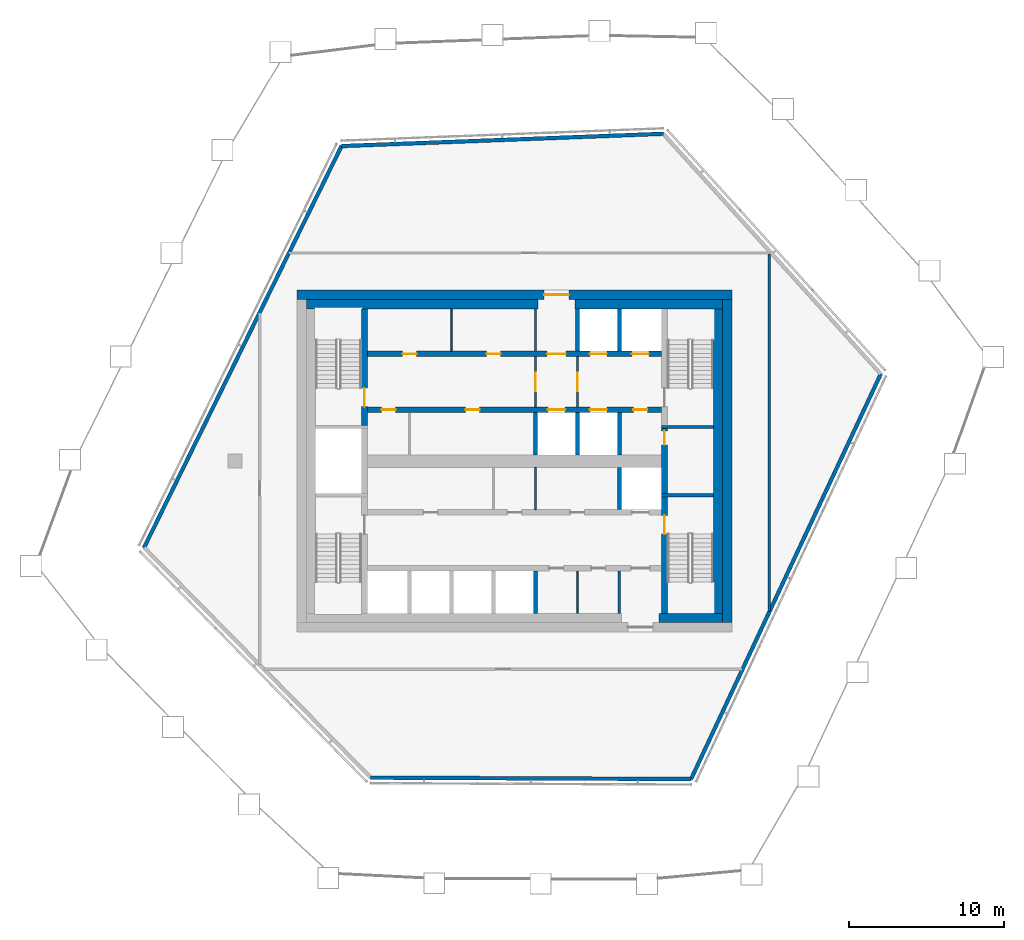
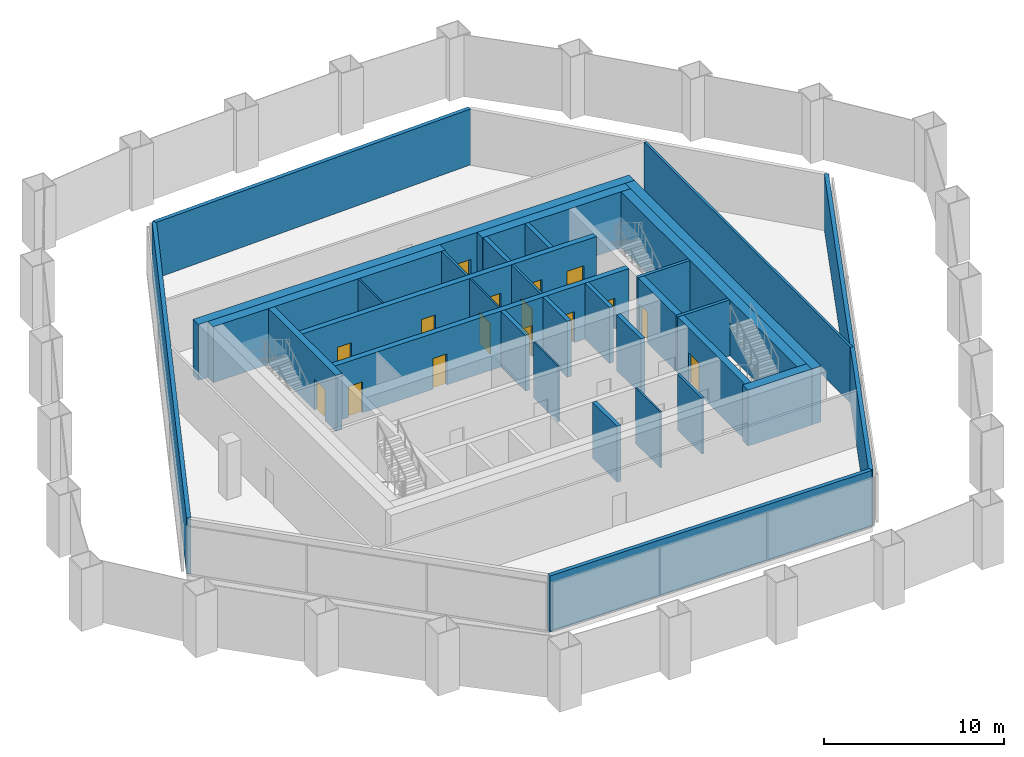
# One storey, part 8 of 18: 32 walls, 16 doors, 16 openings.
"""IFC4 building model written with IfcOpenShell, lengths in metres."""

from ifc_helpers import new_model, si_unit, direction, frame, frame_2d, origin, place, context, subcontext, project, spatial, rectangle, extrude, material, layer, layer_set, type_object, element, fill, save


model = new_model("IFC4")

# Units and contexts
model_context = context("Model", 3, precision=1e-05, world=origin(), true_north=direction((0.0, 1.0)))
body_context = subcontext(model_context, "Body", "Model", "MODEL_VIEW")
ifc_project = project(units=[si_unit("LENGTHUNIT", "METRE"), si_unit("AREAUNIT", "SQUARE_METRE"), si_unit("VOLUMEUNIT", "CUBIC_METRE"), si_unit("PLANEANGLEUNIT", "RADIAN"), si_unit("MASSUNIT", "GRAM", prefix="KILO")], contexts=[model_context])

# Site, building, storey
site_placement = place(None, origin())
site = spatial("IfcSite", under=ifc_project, at=site_placement, CompositionType="ELEMENT")
building_placement = place(site_placement, origin())
building = spatial("IfcBuilding", under=site, at=building_placement, Name="Dongbaek Canopy Tower", CompositionType="ELEMENT")
storey_placement = place(building_placement, frame((0.0, 0.0, 359.0)))
storey = spatial("IfcBuildingStorey", under=building, at=storey_placement, Name="L77", CompositionType="ELEMENT", Elevation=359.0)

# Wall, openings, doors
ifc_material_1 = material(Name="Concrete C60/75", Category="concrete")
ifc_layer_1 = layer(ifc_material_1, 0.35009765625)
ifc_layer_set_1 = layer_set([ifc_layer_1], Name="Core lobby wall 350 Concrete C60/75")
wall_type_1 = type_object("IfcWallType", Name="Core lobby wall 350 Concrete C60/75", PredefinedType="SHEAR", material=ifc_layer_set_1)
wall_1_placement = place(storey_placement, frame((-9.449951171875, 6.89990234375, 0.0), z_axis=(0.0, 0.0, 1.0), x_axis=(1.0, 0.0, 0.0)))
wall_1 = element("IfcWall", 1, at=wall_1_placement, inside=storey, type_object=wall_type_1, Name="Core wall", PredefinedType="SHEAR", context=body_context, shape_type="SweptSolid", body=[
    extrude(rectangle(XDim=18.89990234375, YDim=0.35009765625, at=frame_2d((9.449951171875, 0.0))), origin(), (0.0, 0.0, 1.0), 3.800048828125),
])
opening_1_placement = place(wall_1_placement, frame((11.550048828125, 0.0, 0.0)))
opening_1 = element("IfcOpeningElement", 2, at=opening_1_placement, cuts=wall_1, Name="Opening L77-D006", PredefinedType="OPENING", context=body_context, shape_type="SweptSolid", body=[
    extrude(rectangle(XDim=1.199951171875, YDim=2.10009765625, at=frame_2d((0.60009765625, 1.050048828125))), frame((0.0, 0.18505859375, 0.0), z_axis=(0.0, -1.0, 0.0), x_axis=(1.0, 0.0, 0.0)), (0.0, 0.0, 1.0), 0.3701171875),
])
opening_2_placement = place(wall_1_placement, frame((14.300048828125, 0.0, 0.0)))
opening_2 = element("IfcOpeningElement", 3, at=opening_2_placement, cuts=wall_1, Name="Opening L77-D007", PredefinedType="OPENING", context=body_context, shape_type="SweptSolid", body=[
    extrude(rectangle(XDim=1.10009765625, YDim=2.10009765625, at=frame_2d((0.550048828125, 1.050048828125))), frame((0.0, 0.18505859375, 0.0), z_axis=(0.0, -1.0, 0.0), x_axis=(1.0, 0.0, 0.0)), (0.0, 0.0, 1.0), 0.3701171875),
])
opening_3_placement = place(wall_1_placement, frame((17.0, 0.0, 0.0)))
opening_3 = element("IfcOpeningElement", 4, at=opening_3_placement, cuts=wall_1, Name="Opening L77-D008", PredefinedType="OPENING", context=body_context, shape_type="SweptSolid", body=[
    extrude(rectangle(XDim=1.10009765625, YDim=2.10009765625, at=frame_2d((0.550048828125, 1.050048828125))), frame((0.0, 0.18505859375, 0.0), z_axis=(0.0, -1.0, 0.0), x_axis=(1.0, 0.0, 0.0)), (0.0, 0.0, 1.0), 0.3701171875),
])
opening_4_placement = place(wall_1_placement, frame((2.25, 0.0, 0.0)))
opening_4 = element("IfcOpeningElement", 5, at=opening_4_placement, cuts=wall_1, Name="Opening L77-D015", PredefinedType="OPENING", context=body_context, shape_type="SweptSolid", body=[
    extrude(rectangle(XDim=0.89990234375, YDim=2.10009765625, at=frame_2d((0.449951171875, 1.050048828125))), frame((0.0, 0.18505859375, 0.0), z_axis=(0.0, -1.0, 0.0), x_axis=(1.0, 0.0, 0.0)), (0.0, 0.0, 1.0), 0.3701171875),
])
opening_5_placement = place(wall_1_placement, frame((7.64990234375, 0.0, 0.0)))
opening_5 = element("IfcOpeningElement", 6, at=opening_5_placement, cuts=wall_1, Name="Opening L77-D016", PredefinedType="OPENING", context=body_context, shape_type="SweptSolid", body=[
    extrude(rectangle(XDim=0.89990234375, YDim=2.10009765625, at=frame_2d((0.449951171875, 1.050048828125))), frame((0.0, 0.18505859375, 0.0), z_axis=(0.0, -1.0, 0.0), x_axis=(1.0, 0.0, 0.0)), (0.0, 0.0, 1.0), 0.3701171875),
])
ifc_material_2 = material(Name="Steel", Category="steel")
door_type_1 = type_object("IfcDoorType", Name="Core room door 900 x 2100", OperationType="SINGLE_SWING_LEFT", PredefinedType="DOOR", material=ifc_material_2)
door_1_placement = place(opening_4_placement, origin())
door_1 = element("IfcDoor", 7, at=door_1_placement, inside=storey, type_object=door_type_1, Name="Door L77-D015", OperationType="SINGLE_SWING_RIGHT", OverallHeight=2.10009765625, OverallWidth=0.89990234375, PredefinedType="DOOR", context=body_context, shape_type="SweptSolid", body=[
    extrude(rectangle(XDim=0.89990234375, YDim=2.10009765625, at=frame_2d((0.449951171875, 1.050048828125))), frame((0.0, 0.02490234375, 0.0), z_axis=(0.0, -1.0, 0.0), x_axis=(1.0, 0.0, 0.0)), (0.0, 0.0, 1.0), 0.050048828125),
])
fill(opening_4, door_1)
door_2_placement = place(opening_5_placement, origin())
door_2 = element("IfcDoor", 8, at=door_2_placement, inside=storey, type_object=door_type_1, Name="Door L77-D016", OperationType="SINGLE_SWING_LEFT", OverallHeight=2.10009765625, OverallWidth=0.89990234375, PredefinedType="DOOR", context=body_context, shape_type="SweptSolid", body=[
    extrude(rectangle(XDim=0.89990234375, YDim=2.10009765625, at=frame_2d((0.449951171875, 1.050048828125))), frame((0.0, 0.02490234375, 0.0), z_axis=(0.0, -1.0, 0.0), x_axis=(1.0, 0.0, 0.0)), (0.0, 0.0, 1.0), 0.050048828125),
])
fill(opening_5, door_2)
ifc_material_3 = material(Name="Steel", Category="steel")
door_type_2 = type_object("IfcDoorType", Name="Fire lobby door 1200 x 2100", OperationType="SINGLE_SWING_LEFT", PredefinedType="DOOR", material=ifc_material_3)
door_3_placement = place(opening_1_placement, origin())
door_3 = element("IfcDoor", 9, at=door_3_placement, inside=storey, type_object=door_type_2, Name="Door L77-D006", OperationType="SINGLE_SWING_LEFT", OverallHeight=2.10009765625, OverallWidth=1.199951171875, PredefinedType="DOOR", context=body_context, shape_type="SweptSolid", body=[
    extrude(rectangle(XDim=1.199951171875, YDim=2.10009765625, at=frame_2d((0.60009765625, 1.050048828125))), frame((0.0, 0.02490234375, 0.0), z_axis=(0.0, -1.0, 0.0), x_axis=(1.0, 0.0, 0.0)), (0.0, 0.0, 1.0), 0.050048828125),
])
fill(opening_1, door_3)
ifc_material_4 = material(Name="Stainless steel", Category="steel")
door_type_3 = type_object("IfcDoorType", Name="Lift landing door 1100 x 2100", OperationType="DOUBLE_DOOR_SLIDING", PredefinedType="DOOR", material=ifc_material_4)
door_4_placement = place(opening_2_placement, origin())
door_4 = element("IfcDoor", 10, at=door_4_placement, inside=storey, type_object=door_type_3, Name="Landing door FF1", OperationType="DOUBLE_DOOR_SLIDING", OverallHeight=2.10009765625, OverallWidth=1.10009765625, PredefinedType="DOOR", context=body_context, shape_type="SweptSolid", body=[
    extrude(rectangle(XDim=1.10009765625, YDim=2.10009765625, at=frame_2d((0.550048828125, 1.050048828125))), frame((0.0, 0.02490234375, 0.0), z_axis=(0.0, -1.0, 0.0), x_axis=(1.0, 0.0, 0.0)), (0.0, 0.0, 1.0), 0.050048828125),
])
fill(opening_2, door_4)
door_5_placement = place(opening_3_placement, origin())
door_5 = element("IfcDoor", 11, at=door_5_placement, inside=storey, type_object=door_type_3, Name="Landing door FF2", OperationType="DOUBLE_DOOR_SLIDING", OverallHeight=2.10009765625, OverallWidth=1.10009765625, PredefinedType="DOOR", context=body_context, shape_type="SweptSolid", body=[
    extrude(rectangle(XDim=1.10009765625, YDim=2.10009765625, at=frame_2d((0.550048828125, 1.050048828125))), frame((0.0, 0.02490234375, 0.0), z_axis=(0.0, -1.0, 0.0), x_axis=(1.0, 0.0, 0.0)), (0.0, 0.0, 1.0), 0.050048828125),
])
fill(opening_3, door_5)

wall_2_placement = place(storey_placement, frame((9.449951171875, 3.300048828125, 0.0), z_axis=(0.0, 0.0, 1.0), x_axis=(-1.0, 0.0, 0.0)))
wall_2 = element("IfcWall", 12, at=wall_2_placement, inside=storey, type_object=wall_type_1, Name="Core wall", PredefinedType="SHEAR", context=body_context, shape_type="SweptSolid", body=[
    extrude(rectangle(XDim=18.89990234375, YDim=0.35009765625, at=frame_2d((9.449951171875, 0.0))), origin(), (0.0, 0.0, 1.0), 3.800048828125),
])
opening_6_placement = place(wall_2_placement, frame((6.199951171875, 0.0, 0.0)))
opening_6 = element("IfcOpeningElement", 13, at=opening_6_placement, cuts=wall_2, Name="Opening L77-D009", PredefinedType="OPENING", context=body_context, shape_type="SweptSolid", body=[
    extrude(rectangle(XDim=1.10009765625, YDim=2.10009765625, at=frame_2d((0.550048828125, 1.050048828125))), frame((0.0, 0.18505859375, 0.0), z_axis=(0.0, -1.0, 0.0), x_axis=(1.0, 0.0, 0.0)), (0.0, 0.0, 1.0), 0.3701171875),
])
opening_7_placement = place(wall_2_placement, frame((3.5, 0.0, 0.0)))
opening_7 = element("IfcOpeningElement", 14, at=opening_7_placement, cuts=wall_2, Name="Opening L77-D010", PredefinedType="OPENING", context=body_context, shape_type="SweptSolid", body=[
    extrude(rectangle(XDim=1.10009765625, YDim=2.10009765625, at=frame_2d((0.550048828125, 1.050048828125))), frame((0.0, 0.18505859375, 0.0), z_axis=(0.0, -1.0, 0.0), x_axis=(1.0, 0.0, 0.0)), (0.0, 0.0, 1.0), 0.3701171875),
])
opening_8_placement = place(wall_2_placement, frame((0.89990234375, 0.0, 0.0)))
opening_8 = element("IfcOpeningElement", 15, at=opening_8_placement, cuts=wall_2, Name="Opening L77-D011", PredefinedType="OPENING", context=body_context, shape_type="SweptSolid", body=[
    extrude(rectangle(XDim=0.89990234375, YDim=2.10009765625, at=frame_2d((0.449951171875, 1.050048828125))), frame((0.0, 0.18505859375, 0.0), z_axis=(0.0, -1.0, 0.0), x_axis=(1.0, 0.0, 0.0)), (0.0, 0.0, 1.0), 0.3701171875),
])
opening_9_placement = place(wall_2_placement, frame((17.10009765625, 0.0, 0.0)))
opening_9 = element("IfcOpeningElement", 16, at=opening_9_placement, cuts=wall_2, Name="Opening L77-D017", PredefinedType="OPENING", context=body_context, shape_type="SweptSolid", body=[
    extrude(rectangle(XDim=0.89990234375, YDim=2.10009765625, at=frame_2d((0.449951171875, 1.050048828125))), frame((0.0, 0.18505859375, 0.0), z_axis=(0.0, -1.0, 0.0), x_axis=(1.0, 0.0, 0.0)), (0.0, 0.0, 1.0), 0.3701171875),
])
opening_10_placement = place(wall_2_placement, frame((11.699951171875, 0.0, 0.0)))
opening_10 = element("IfcOpeningElement", 17, at=opening_10_placement, cuts=wall_2, Name="Opening L77-D018", PredefinedType="OPENING", context=body_context, shape_type="SweptSolid", body=[
    extrude(rectangle(XDim=0.89990234375, YDim=2.10009765625, at=frame_2d((0.449951171875, 1.050048828125))), frame((0.0, 0.18505859375, 0.0), z_axis=(0.0, -1.0, 0.0), x_axis=(1.0, 0.0, 0.0)), (0.0, 0.0, 1.0), 0.3701171875),
])
door_6_placement = place(opening_8_placement, origin())
door_6 = element("IfcDoor", 18, at=door_6_placement, inside=storey, type_object=door_type_1, Name="Door L77-D011", OperationType="SINGLE_SWING_LEFT", OverallHeight=2.10009765625, OverallWidth=0.89990234375, PredefinedType="DOOR", context=body_context, shape_type="SweptSolid", body=[
    extrude(rectangle(XDim=0.89990234375, YDim=2.10009765625, at=frame_2d((0.449951171875, 1.050048828125))), frame((0.0, 0.02490234375, 0.0), z_axis=(0.0, -1.0, 0.0), x_axis=(1.0, 0.0, 0.0)), (0.0, 0.0, 1.0), 0.050048828125),
])
fill(opening_8, door_6)
door_7_placement = place(opening_9_placement, origin())
door_7 = element("IfcDoor", 19, at=door_7_placement, inside=storey, type_object=door_type_1, Name="Door L77-D017", OperationType="SINGLE_SWING_RIGHT", OverallHeight=2.10009765625, OverallWidth=0.89990234375, PredefinedType="DOOR", context=body_context, shape_type="SweptSolid", body=[
    extrude(rectangle(XDim=0.89990234375, YDim=2.10009765625, at=frame_2d((0.449951171875, 1.050048828125))), frame((0.0, 0.02490234375, 0.0), z_axis=(0.0, -1.0, 0.0), x_axis=(1.0, 0.0, 0.0)), (0.0, 0.0, 1.0), 0.050048828125),
])
fill(opening_9, door_7)
door_8_placement = place(opening_10_placement, origin())
door_8 = element("IfcDoor", 20, at=door_8_placement, inside=storey, type_object=door_type_1, Name="Door L77-D018", OperationType="SINGLE_SWING_LEFT", OverallHeight=2.10009765625, OverallWidth=0.89990234375, PredefinedType="DOOR", context=body_context, shape_type="SweptSolid", body=[
    extrude(rectangle(XDim=0.89990234375, YDim=2.10009765625, at=frame_2d((0.449951171875, 1.050048828125))), frame((0.0, 0.02490234375, 0.0), z_axis=(0.0, -1.0, 0.0), x_axis=(1.0, 0.0, 0.0)), (0.0, 0.0, 1.0), 0.050048828125),
])
fill(opening_10, door_8)
door_9_placement = place(opening_6_placement, origin())
door_9 = element("IfcDoor", 21, at=door_9_placement, inside=storey, type_object=door_type_3, Name="Landing door SV1", OperationType="DOUBLE_DOOR_SLIDING", OverallHeight=2.10009765625, OverallWidth=1.10009765625, PredefinedType="DOOR", context=body_context, shape_type="SweptSolid", body=[
    extrude(rectangle(XDim=1.10009765625, YDim=2.10009765625, at=frame_2d((0.550048828125, 1.050048828125))), frame((0.0, 0.02490234375, 0.0), z_axis=(0.0, -1.0, 0.0), x_axis=(1.0, 0.0, 0.0)), (0.0, 0.0, 1.0), 0.050048828125),
])
fill(opening_6, door_9)
door_10_placement = place(opening_7_placement, origin())
door_10 = element("IfcDoor", 22, at=door_10_placement, inside=storey, type_object=door_type_3, Name="Landing door FF3", OperationType="DOUBLE_DOOR_SLIDING", OverallHeight=2.10009765625, OverallWidth=1.10009765625, PredefinedType="DOOR", context=body_context, shape_type="SweptSolid", body=[
    extrude(rectangle(XDim=1.10009765625, YDim=2.10009765625, at=frame_2d((0.550048828125, 1.050048828125))), frame((0.0, 0.02490234375, 0.0), z_axis=(0.0, -1.0, 0.0), x_axis=(1.0, 0.0, 0.0)), (0.0, 0.0, 1.0), 0.050048828125),
])
fill(opening_7, door_10)

# Wall, opening, door
ifc_material_5 = material(Name="Concrete C80/95", Category="concrete")
ifc_layer_2 = layer(ifc_material_5, 0.60009765625)
ifc_layer_set_2 = layer_set([ifc_layer_2], Name="Core outer wall 600 Concrete C80/95")
wall_type_2 = type_object("IfcWallType", Name="Core outer wall 600 Concrete C80/95", PredefinedType="SHEAR", material=ifc_layer_set_2)
wall_3_placement = place(storey_placement, frame((-14.0, 10.699951171875, 0.0), z_axis=(0.0, 0.0, 1.0), x_axis=(1.0, 0.0, 0.0)))
wall_3 = element("IfcWall", 23, at=wall_3_placement, inside=storey, type_object=wall_type_2, Name="Core wall", PredefinedType="SHEAR", context=body_context, shape_type="SweptSolid", body=[
    extrude(rectangle(XDim=28.0, YDim=0.60009765625, at=frame_2d((14.0, 0.0))), origin(), (0.0, 0.0, 1.0), 3.800048828125),
])
opening_11_placement = place(wall_3_placement, frame((15.89990234375, 0.0, 0.0)))
opening_11 = element("IfcOpeningElement", 24, at=opening_11_placement, cuts=wall_3, Name="Opening L77-D005", PredefinedType="OPENING", context=body_context, shape_type="SweptSolid", body=[
    extrude(rectangle(XDim=1.60009765625, YDim=2.10009765625, at=frame_2d((0.800048828125, 1.050048828125))), frame((0.0, 0.31005859375, 0.0), z_axis=(0.0, -1.0, 0.0), x_axis=(1.0, 0.0, 0.0)), (0.0, 0.0, 1.0), 0.6201171875),
])
ifc_material_6 = material(Name="Steel", Category="steel")
door_type_4 = type_object("IfcDoorType", Name="Core exit door 1600 x 2100", OperationType="DOUBLE_DOOR_SINGLE_SWING", PredefinedType="DOOR", material=ifc_material_6)
door_11_placement = place(opening_11_placement, origin())
door_11 = element("IfcDoor", 25, at=door_11_placement, inside=storey, type_object=door_type_4, Name="Core exit door", OperationType="DOUBLE_DOOR_SINGLE_SWING", OverallHeight=2.10009765625, OverallWidth=1.60009765625, PredefinedType="DOOR", context=body_context, shape_type="SweptSolid", body=[
    extrude(rectangle(XDim=1.60009765625, YDim=2.10009765625, at=frame_2d((0.800048828125, 1.050048828125))), frame((0.0, 0.02490234375, 0.0), z_axis=(0.0, -1.0, 0.0), x_axis=(1.0, 0.0, 0.0)), (0.0, 0.0, 1.0), 0.050048828125),
])
fill(opening_11, door_11)

# Walls
wall_4_placement = place(storey_placement, frame((13.699951171875, 10.39990234375, 0.0), z_axis=(0.0, 0.0, 1.0), x_axis=(0.0, -1.0, 0.0)))
element("IfcWall", 26, at=wall_4_placement, inside=storey, type_object=wall_type_2, Name="Core wall", PredefinedType="SHEAR", context=body_context, shape_type="SweptSolid", body=[
    extrude(rectangle(XDim=20.7998046875, YDim=0.60009765625, at=frame_2d((10.39990234375, 0.0))), origin(), (0.0, 0.0, 1.0), 3.800048828125),
])
ifc_material_7 = material(Name="Concrete C60/75", Category="concrete")
ifc_layer_3 = layer(ifc_material_7, 0.60009765625)
ifc_layer_set_3 = layer_set([ifc_layer_3], Name="Core wall lining 600 Concrete C60/75")
wall_type_3 = type_object("IfcWallType", Name="Core wall lining 600 Concrete C60/75", PredefinedType="SHEAR", material=ifc_layer_set_3)
wall_5_placement = place(storey_placement, frame((-13.39990234375, 10.10009765625, 0.0), z_axis=(0.0, 0.0, 1.0), x_axis=(1.0, 0.0, 0.0)))
element("IfcWall", 27, at=wall_5_placement, inside=storey, type_object=wall_type_3, Name="Core wall lining", PredefinedType="SHEAR", context=body_context, shape_type="SweptSolid", body=[
    extrude(rectangle(XDim=14.89990234375, YDim=0.60009765625, at=frame_2d((7.449951171875, 0.0))), origin(), (0.0, 0.0, 1.0), 3.800048828125),
])
wall_6_placement = place(storey_placement, frame((3.89990234375, 10.10009765625, 0.0), z_axis=(0.0, 0.0, 1.0), x_axis=(1.0, 0.0, 0.0)))
element("IfcWall", 28, at=wall_6_placement, inside=storey, type_object=wall_type_3, Name="Core wall lining", PredefinedType="SHEAR", context=body_context, shape_type="SweptSolid", body=[
    extrude(rectangle(XDim=9.5, YDim=0.60009765625, at=frame_2d((4.75, 0.0))), origin(), (0.0, 0.0, 1.0), 3.800048828125),
])
wall_7_placement = place(storey_placement, frame((13.39990234375, -10.10009765625, 0.0), z_axis=(0.0, 0.0, 1.0), x_axis=(-1.0, 0.0, 0.0)))
element("IfcWall", 29, at=wall_7_placement, inside=storey, type_object=wall_type_3, Name="Core wall lining", PredefinedType="SHEAR", context=body_context, shape_type="SweptSolid", body=[
    extrude(rectangle(XDim=4.099853515625, YDim=0.60009765625, at=frame_2d((2.0498046875, 0.0))), origin(), (0.0, 0.0, 1.0), 3.800048828125),
])
wall_8_placement = place(storey_placement, frame((13.10009765625, 9.800048828125, 0.0), z_axis=(0.0, 0.0, 1.0), x_axis=(0.0, -1.0, 0.0)))
element("IfcWall", 30, at=wall_8_placement, inside=storey, type_object=wall_type_3, Name="Core wall lining", PredefinedType="SHEAR", context=body_context, shape_type="SweptSolid", body=[
    extrude(rectangle(XDim=19.60009765625, YDim=0.60009765625, at=frame_2d((9.800048828125, 0.0))), origin(), (0.0, 0.0, 1.0), 3.800048828125),
])
ifc_material_8 = material(Name="Gypsum board partition, steel stud, 2 x 15 mm fire board", Category="steel")
ifc_layer_4 = layer(ifc_material_8, 0.14990234375)
ifc_layer_set_4 = layer_set([ifc_layer_4], Name="Fire-rated partition 150 gypsum board")
wall_type_4 = type_object("IfcWallType", Name="Fire-rated partition 150 gypsum board", PredefinedType="PARTITIONING", material=ifc_layer_set_4)
wall_9_placement = place(storey_placement, frame((16.39990234375, -9.676025390625, 0.0), z_axis=(0.0, 0.0, 1.0), x_axis=(0.0, 1.0, 0.0)))
element("IfcWall", 31, at=wall_9_placement, inside=storey, type_object=wall_type_4, Name="Corridor partition", PredefinedType="PARTITIONING", context=body_context, shape_type="SweptSolid", body=[
    extrude(rectangle(XDim=23.0009765625, YDim=0.14990234375, at=frame_2d((11.50048828125, 0.0))), origin(), (0.0, 0.0, 1.0), 3.800048828125),
])
wall_10_placement = place(storey_placement, frame((6.75, -9.800048828125, 0.0), z_axis=(0.0, 0.0, 1.0), x_axis=(0.0, 1.0, 0.0)))
element("IfcWall", 32, at=wall_10_placement, inside=storey, type_object=wall_type_4, Name="Fire lobby partition", PredefinedType="PARTITIONING", context=body_context, shape_type="SweptSolid", body=[
    extrude(rectangle(XDim=2.72509765625, YDim=0.14990234375, at=frame_2d((1.362548828125, 0.0))), origin(), (0.0, 0.0, 1.0), 3.800048828125),
])

# Wall, opening, door
wall_11_placement = place(storey_placement, frame((4.050048828125, 6.72509765625, 0.0), z_axis=(0.0, 0.0, 1.0), x_axis=(0.0, -1.0, 0.0)))
wall_11 = element("IfcWall", 33, at=wall_11_placement, inside=storey, type_object=wall_type_4, Name="Fire lobby partition", PredefinedType="PARTITIONING", context=body_context, shape_type="SweptSolid", body=[
    extrude(rectangle(XDim=3.25, YDim=0.14990234375, at=frame_2d((1.625, 0.0))), origin(), (0.0, 0.0, 1.0), 3.800048828125),
])
opening_12_placement = place(wall_11_placement, frame((1.02490234375, 0.0, 0.0)))
opening_12 = element("IfcOpeningElement", 34, at=opening_12_placement, cuts=wall_11, Name="Opening L77-D029", PredefinedType="OPENING", context=body_context, shape_type="SweptSolid", body=[
    extrude(rectangle(XDim=1.199951171875, YDim=2.10009765625, at=frame_2d((0.60009765625, 1.050048828125))), frame((0.0, 0.0849609375, 0.0), z_axis=(0.0, -1.0, 0.0), x_axis=(1.0, 0.0, 0.0)), (0.0, 0.0, 1.0), 0.169921875),
])
door_12_placement = place(opening_12_placement, origin())
door_12 = element("IfcDoor", 35, at=door_12_placement, inside=storey, type_object=door_type_2, Name="Door L77-D029", OperationType="SINGLE_SWING_RIGHT", OverallHeight=2.10009765625, OverallWidth=1.199951171875, PredefinedType="DOOR", context=body_context, shape_type="SweptSolid", body=[
    extrude(rectangle(XDim=1.199951171875, YDim=2.10009765625, at=frame_2d((0.60009765625, 1.050048828125))), frame((0.0, 0.02490234375, 0.0), z_axis=(0.0, -1.0, 0.0), x_axis=(1.0, 0.0, 0.0)), (0.0, 0.0, 1.0), 0.050048828125),
])
fill(opening_12, door_12)

# Walls
wall_12_placement = place(storey_placement, frame((1.35009765625, 7.074951171875, 0.0), z_axis=(0.0, 0.0, 1.0), x_axis=(0.0, 1.0, 0.0)))
element("IfcWall", 36, at=wall_12_placement, inside=storey, type_object=wall_type_4, Name="Fire lobby partition", PredefinedType="PARTITIONING", context=body_context, shape_type="SweptSolid", body=[
    extrude(rectangle(XDim=2.72509765625, YDim=0.14990234375, at=frame_2d((1.362548828125, 0.0))), origin(), (0.0, 0.0, 1.0), 3.800048828125),
])
ifc_material_9 = material(Name="Concrete C40/50", Category="concrete")
ifc_layer_5 = layer(ifc_material_9, 0.25)
ifc_layer_set_5 = layer_set([ifc_layer_5], Name="Lift shaft wall 250 Concrete C40/50")
wall_type_5 = type_object("IfcWallType", Name="Lift shaft wall 250 Concrete C40/50", PredefinedType="SOLIDWALL", material=ifc_layer_set_5)
for number, where, z_axis, x_axis, name in (
    (37, (6.75, -3.125, 0.0), (0.0, 0.0, 1.0), (0.0, 1.0, 0.0), "Lift shaft wall"),
    (38, (6.75, 0.39990234375, 0.0), (0.0, 0.0, 1.0), (0.0, 1.0, 0.0), "Lift shaft wall"),
    (39, (6.75, 7.074951171875, 0.0), (0.0, 0.0, 1.0), (0.0, 1.0, 0.0), "Lift shaft wall"),
    (40, (4.050048828125, 0.39990234375, 0.0), (0.0, 0.0, 1.0), (0.0, 1.0, 0.0), "Lift shaft wall"),
    (41, (4.050048828125, 7.074951171875, 0.0), (0.0, 0.0, 1.0), (0.0, 1.0, 0.0), "Lift shaft wall"),
    (42, (1.35009765625, -9.800048828125, 0.0), (0.0, 0.0, 1.0), (0.0, 1.0, 0.0), "Lift shaft wall"),
    (43, (1.35009765625, 0.39990234375, 0.0), (0.0, 0.0, 1.0), (0.0, 1.0, 0.0), "Lift shaft wall"),
):
    element("IfcWall", number, at=place(storey_placement, frame(where, z_axis=z_axis, x_axis=x_axis)), inside=storey, type_object=wall_type_5, Name=name, PredefinedType="SOLIDWALL", context=body_context, shape_type="SweptSolid", body=[
        extrude(rectangle(XDim=2.72509765625, YDim=0.25, at=frame_2d((1.362548828125, 0.0))), origin(), (0.0, 0.0, 1.0), 3.800048828125),
    ])
ifc_material_10 = material(Name="Gypsum board partition, steel stud, 2 x 12.5 mm board", Category="steel")
ifc_layer_6 = layer(ifc_material_10, 0.10009765625)
ifc_layer_set_6 = layer_set([ifc_layer_6], Name="Partition 100 gypsum board")
wall_type_6 = type_object("IfcWallType", Name="Partition 100 gypsum board", PredefinedType="PARTITIONING", material=ifc_layer_set_6)
for number, where, z_axis, x_axis, name in (
    (44, (4.050048828125, -9.800048828125, 0.0), (0.0, 0.0, 1.0), (0.0, 1.0, 0.0), "Core partition"),
    (45, (1.35009765625, -3.125, 0.0), (0.0, 0.0, 1.0), (0.0, 1.0, 0.0), "Core partition"),
):
    element("IfcWall", number, at=place(storey_placement, frame(where, z_axis=z_axis, x_axis=x_axis)), inside=storey, type_object=wall_type_6, Name=name, PredefinedType="PARTITIONING", context=body_context, shape_type="SweptSolid", body=[
        extrude(rectangle(XDim=2.72509765625, YDim=0.10009765625, at=frame_2d((1.362548828125, 0.0))), origin(), (0.0, 0.0, 1.0), 3.800048828125),
    ])

# Wall, opening, door
wall_13_placement = place(storey_placement, frame((1.35009765625, 6.72509765625, 0.0), z_axis=(0.0, 0.0, 1.0), x_axis=(0.0, -1.0, 0.0)))
wall_13 = element("IfcWall", 46, at=wall_13_placement, inside=storey, type_object=wall_type_6, Name="Core partition", PredefinedType="PARTITIONING", context=body_context, shape_type="SweptSolid", body=[
    extrude(rectangle(XDim=3.25, YDim=0.10009765625, at=frame_2d((1.625, 0.0))), origin(), (0.0, 0.0, 1.0), 3.800048828125),
])
opening_13_placement = place(wall_13_placement, frame((1.02490234375, 0.0, 0.0)))
opening_13 = element("IfcOpeningElement", 47, at=opening_13_placement, cuts=wall_13, Name="Opening L77-D028", PredefinedType="OPENING", context=body_context, shape_type="SweptSolid", body=[
    extrude(rectangle(XDim=1.199951171875, YDim=2.10009765625, at=frame_2d((0.60009765625, 1.050048828125))), frame((0.0, 0.06005859375, 0.0), z_axis=(0.0, -1.0, 0.0), x_axis=(1.0, 0.0, 0.0)), (0.0, 0.0, 1.0), 0.1201171875),
])
door_13_placement = place(opening_13_placement, origin())
door_13 = element("IfcDoor", 48, at=door_13_placement, inside=storey, type_object=door_type_2, Name="Door L77-D028", OperationType="SINGLE_SWING_LEFT", OverallHeight=2.10009765625, OverallWidth=1.199951171875, PredefinedType="DOOR", context=body_context, shape_type="SweptSolid", body=[
    extrude(rectangle(XDim=1.199951171875, YDim=2.10009765625, at=frame_2d((0.60009765625, 1.050048828125))), frame((0.0, 0.02490234375, 0.0), z_axis=(0.0, -1.0, 0.0), x_axis=(1.0, 0.0, 0.0)), (0.0, 0.0, 1.0), 0.050048828125),
])
fill(opening_13, door_13)

# Walls
wall_14_placement = place(storey_placement, frame((-4.050048828125, 7.074951171875, 0.0), z_axis=(0.0, 0.0, 1.0), x_axis=(0.0, 1.0, 0.0)))
element("IfcWall", 49, at=wall_14_placement, inside=storey, type_object=wall_type_6, Name="Core partition", PredefinedType="PARTITIONING", context=body_context, shape_type="SweptSolid", body=[
    extrude(rectangle(XDim=2.72509765625, YDim=0.10009765625, at=frame_2d((1.362548828125, 0.0))), origin(), (0.0, 0.0, 1.0), 3.800048828125),
])
ifc_material_11 = material(Name="Pale metal cladding on insulated wall")
ifc_layer_7 = layer(ifc_material_11, 0.25)
ifc_layer_set_7 = layer_set([ifc_layer_7], Name="Plant floor wall 250")
wall_type_7 = type_object("IfcWallType", Name="Plant floor wall 250", PredefinedType="SOLIDWALL", material=ifc_layer_set_7)
wall_15_placement = place(storey_placement, frame((-9.265869140625, -20.376708984375, 0.0), z_axis=(0.0, 0.0, 1.0), x_axis=(0.999990050783, -0.004460755013, 0.0)))
element("IfcWall", 50, at=wall_15_placement, inside=storey, type_object=wall_type_7, Name="Plant wall L77 F0 1", PredefinedType="SOLIDWALL", context=body_context, shape_type="SweptSolid", body=[
    extrude(rectangle(XDim=20.633544921875, YDim=0.25, at=frame_2d((10.31689453125, 0.0))), origin(), (0.0, 0.0, 1.0), 3.800048828125),
])
wall_16_placement = place(storey_placement, frame((11.367431640625, -20.46875, 0.0), z_axis=(0.0, 0.0, 1.0), x_axis=(0.424125024155, 0.905603646131, 0.0)))
element("IfcWall", 51, at=wall_16_placement, inside=storey, type_object=wall_type_7, Name="Plant wall L77 F1 1", PredefinedType="SOLIDWALL", context=body_context, shape_type="SweptSolid", body=[
    extrude(rectangle(XDim=28.80126953125, YDim=0.25, at=frame_2d((14.400634765625, 0.0))), origin(), (0.0, 0.0, 1.0), 3.800048828125),
])
wall_17_placement = place(storey_placement, frame((9.583251953125, 21.072509765625, 0.0), z_axis=(0.0, 0.0, 1.0), x_axis=(-0.999269048775, -0.038227845343, 0.0)))
element("IfcWall", 52, at=wall_17_placement, inside=storey, type_object=wall_type_7, Name="Plant wall L77 F3 1", PredefinedType="SOLIDWALL", context=body_context, shape_type="SweptSolid", body=[
    extrude(rectangle(XDim=20.73681640625, YDim=0.25, at=frame_2d((10.368408203125, 0.0))), origin(), (0.0, 0.0, 1.0), 3.800048828125),
])
wall_18_placement = place(storey_placement, frame((-11.138427734375, 20.27978515625, 0.0), z_axis=(0.0, 0.0, 1.0), x_axis=(-0.441342255748, -0.897338850876, 0.0)))
element("IfcWall", 53, at=wall_18_placement, inside=storey, type_object=wall_type_7, Name="Plant wall L77 F4 1", PredefinedType="SOLIDWALL", context=body_context, shape_type="SweptSolid", body=[
    extrude(rectangle(XDim=28.80517578125, YDim=0.25, at=frame_2d((14.402587890625, 0.0))), origin(), (0.0, 0.0, 1.0), 3.800048828125),
])
ifc_material_12 = material(Name="Concrete C60/75", Category="concrete")
ifc_layer_8 = layer(ifc_material_12, 0.199951171875)
ifc_layer_set_8 = layer_set([ifc_layer_8], Name="Riser wall 200 Concrete C60/75")
wall_type_8 = type_object("IfcWallType", Name="Riser wall 200 Concrete C60/75", PredefinedType="SHEAR", material=ifc_layer_set_8)
for number, where, z_axis, x_axis, name in (
    (54, (9.449951171875, 2.199951171875, 0.0), (0.0, 0.0, 1.0), (1.0, 0.0, 0.0), "Riser wall"),
    (55, (9.449951171875, -2.199951171875, 0.0), (0.0, 0.0, 1.0), (1.0, 0.0, 0.0), "Riser wall"),
):
    element("IfcWall", number, at=place(storey_placement, frame(where, z_axis=z_axis, x_axis=x_axis)), inside=storey, type_object=wall_type_8, Name=name, PredefinedType="SHEAR", context=body_context, shape_type="SweptSolid", body=[
        extrude(rectangle(XDim=3.35009765625, YDim=0.199951171875, at=frame_2d((1.675048828125, 0.0))), origin(), (0.0, 0.0, 1.0), 3.800048828125),
    ])

# Wall, opening, door
ifc_material_13 = material(Name="Concrete C60/75", Category="concrete")
ifc_layer_9 = layer(ifc_material_13, 0.39990234375)
ifc_layer_set_9 = layer_set([ifc_layer_9], Name="Stair wall 400 Concrete C60/75")
wall_type_9 = type_object("IfcWallType", Name="Stair wall 400 Concrete C60/75", PredefinedType="SHEAR", material=ifc_layer_set_9)
wall_19_placement = place(storey_placement, frame((9.64990234375, -2.300048828125, 0.0), z_axis=(0.0, 0.0, 1.0), x_axis=(0.0, -1.0, 0.0)))
wall_19 = element("IfcWall", 56, at=wall_19_placement, inside=storey, type_object=wall_type_9, Name="Stair wall", PredefinedType="SHEAR", context=body_context, shape_type="SweptSolid", body=[
    extrude(rectangle(XDim=7.5, YDim=0.39990234375, at=frame_2d((3.75, 0.0))), origin(), (0.0, 0.0, 1.0), 3.800048828125),
])
opening_14_placement = place(wall_19_placement, frame((1.199951171875, 0.0, 0.0)))
opening_14 = element("IfcOpeningElement", 57, at=opening_14_placement, cuts=wall_19, Name="Opening L77-D026", PredefinedType="OPENING", context=body_context, shape_type="SweptSolid", body=[
    extrude(rectangle(XDim=1.199951171875, YDim=2.10009765625, at=frame_2d((0.60009765625, 1.050048828125))), frame((0.0, 0.2099609375, 0.0), z_axis=(0.0, -1.0, 0.0), x_axis=(1.0, 0.0, 0.0)), (0.0, 0.0, 1.0), 0.419921875),
])
ifc_material_14 = material(Name="Steel", Category="steel")
door_type_5 = type_object("IfcDoorType", Name="Stair door 1200 x 2100", OperationType="SINGLE_SWING_LEFT", PredefinedType="DOOR", material=ifc_material_14)
door_14_placement = place(opening_14_placement, origin())
door_14 = element("IfcDoor", 58, at=door_14_placement, inside=storey, type_object=door_type_5, Name="Stair B door", OperationType="SINGLE_SWING_RIGHT", OverallHeight=2.10009765625, OverallWidth=1.199951171875, PredefinedType="DOOR", context=body_context, shape_type="SweptSolid", body=[
    extrude(rectangle(XDim=1.199951171875, YDim=2.10009765625, at=frame_2d((0.60009765625, 1.050048828125))), frame((0.0, 0.02490234375, 0.0), z_axis=(0.0, -1.0, 0.0), x_axis=(1.0, 0.0, 0.0)), (0.0, 0.0, 1.0), 0.050048828125),
])
fill(opening_14, door_14)

wall_20_placement = place(storey_placement, frame((9.64990234375, 2.10009765625, 0.0), z_axis=(0.0, 0.0, 1.0), x_axis=(0.0, -1.0, 0.0)))
wall_20 = element("IfcWall", 59, at=wall_20_placement, inside=storey, type_object=wall_type_9, Name="Stair wall", PredefinedType="SHEAR", context=body_context, shape_type="SweptSolid", body=[
    extrude(rectangle(XDim=4.2001953125, YDim=0.39990234375, at=frame_2d((2.10009765625, 0.0))), origin(), (0.0, 0.0, 1.0), 3.800048828125),
])
opening_15_placement = place(wall_20_placement, frame((0.14990234375, 0.0, 0.0)))
opening_15 = element("IfcOpeningElement", 60, at=opening_15_placement, cuts=wall_20, Name="Opening L77-D004", PredefinedType="OPENING", context=body_context, shape_type="SweptSolid", body=[
    extrude(rectangle(XDim=0.89990234375, YDim=2.10009765625, at=frame_2d((0.449951171875, 1.050048828125))), frame((0.0, 0.2099609375, 0.0), z_axis=(0.0, -1.0, 0.0), x_axis=(1.0, 0.0, 0.0)), (0.0, 0.0, 1.0), 0.419921875),
])
door_15_placement = place(opening_15_placement, origin())
door_15 = element("IfcDoor", 61, at=door_15_placement, inside=storey, type_object=door_type_1, Name="Door L77-D004", OperationType="SINGLE_SWING_RIGHT", OverallHeight=2.10009765625, OverallWidth=0.89990234375, PredefinedType="DOOR", context=body_context, shape_type="SweptSolid", body=[
    extrude(rectangle(XDim=0.89990234375, YDim=2.10009765625, at=frame_2d((0.449951171875, 1.050048828125))), frame((0.0, 0.02490234375, 0.0), z_axis=(0.0, -1.0, 0.0), x_axis=(1.0, 0.0, 0.0)), (0.0, 0.0, 1.0), 0.050048828125),
])
fill(opening_15, door_15)

wall_21_placement = place(storey_placement, frame((-9.64990234375, 2.300048828125, 0.0), z_axis=(0.0, 0.0, 1.0), x_axis=(0.0, 1.0, 0.0)))
wall_21 = element("IfcWall", 62, at=wall_21_placement, inside=storey, type_object=wall_type_9, Name="Stair wall", PredefinedType="SHEAR", context=body_context, shape_type="SweptSolid", body=[
    extrude(rectangle(XDim=7.5, YDim=0.39990234375, at=frame_2d((3.75, 0.0))), origin(), (0.0, 0.0, 1.0), 3.800048828125),
])
opening_16_placement = place(wall_21_placement, frame((1.199951171875, 0.0, 0.0)))
opening_16 = element("IfcOpeningElement", 63, at=opening_16_placement, cuts=wall_21, Name="Opening L77-D025", PredefinedType="OPENING", context=body_context, shape_type="SweptSolid", body=[
    extrude(rectangle(XDim=1.199951171875, YDim=2.10009765625, at=frame_2d((0.60009765625, 1.050048828125))), frame((0.0, 0.2099609375, 0.0), z_axis=(0.0, -1.0, 0.0), x_axis=(1.0, 0.0, 0.0)), (0.0, 0.0, 1.0), 0.419921875),
])
door_16_placement = place(opening_16_placement, origin())
door_16 = element("IfcDoor", 64, at=door_16_placement, inside=storey, type_object=door_type_5, Name="Stair C door", OperationType="SINGLE_SWING_RIGHT", OverallHeight=2.10009765625, OverallWidth=1.199951171875, PredefinedType="DOOR", context=body_context, shape_type="SweptSolid", body=[
    extrude(rectangle(XDim=1.199951171875, YDim=2.10009765625, at=frame_2d((0.60009765625, 1.050048828125))), frame((0.0, 0.02490234375, 0.0), z_axis=(0.0, -1.0, 0.0), x_axis=(1.0, 0.0, 0.0)), (0.0, 0.0, 1.0), 0.050048828125),
])
fill(opening_16, door_16)

save(model, "model.ifc")
